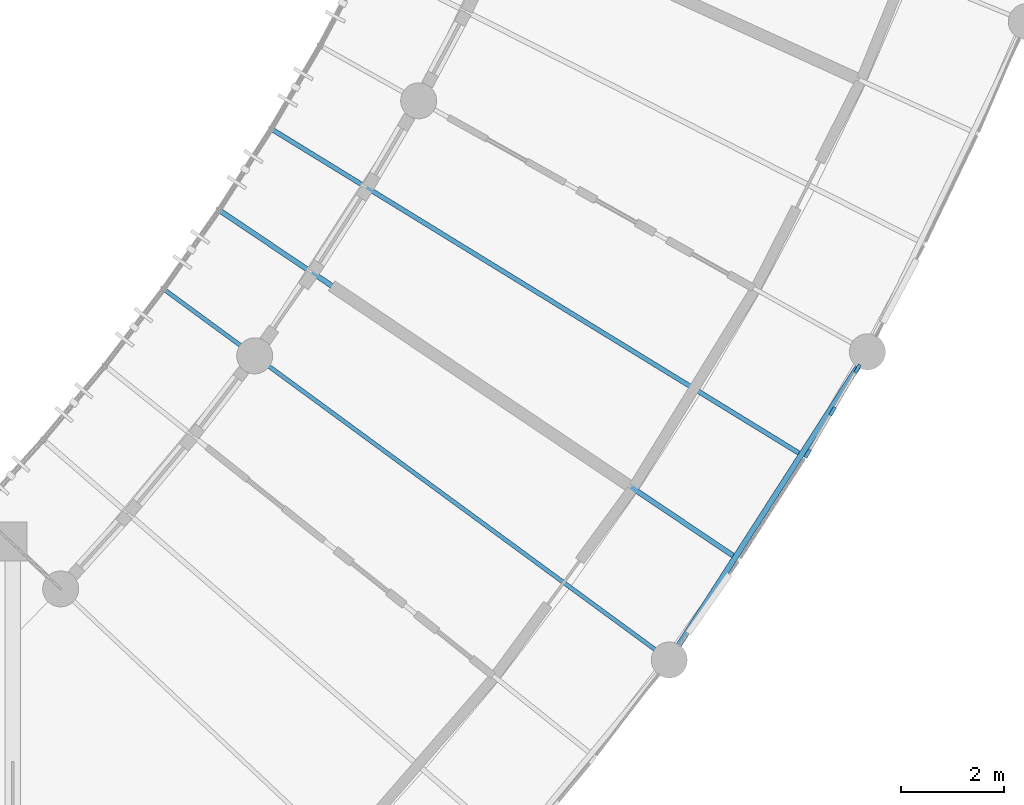
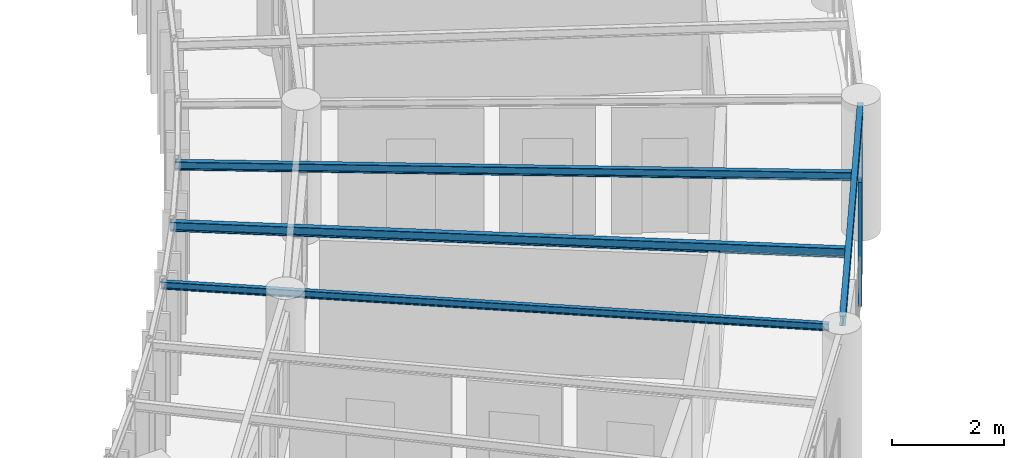
# One storey, part 12 of 100: 4 beams, 3 members, 1 element without a shape of its own.
"""IFC4 building model written with IfcOpenShell, lengths in metres."""

from ifc_helpers import new_model, si_unit, direction, frame, origin, origin_2d, place, context, subcontext, project, spatial, rectangle, i_section, extrude, material, layer, layer_set, material_profile, profile_set, type_object, element, aggregate, save


model = new_model("IFC4")

# Units and contexts
model_context = context("Model", 3, precision=1e-05, world=origin(), true_north=direction((0.0, 1.0)))
body_context = subcontext(model_context, "Body", "Model", "MODEL_VIEW")
ifc_project = project(units=[si_unit("LENGTHUNIT", "METRE"), si_unit("AREAUNIT", "SQUARE_METRE"), si_unit("VOLUMEUNIT", "CUBIC_METRE"), si_unit("PLANEANGLEUNIT", "RADIAN"), si_unit("MASSUNIT", "GRAM", prefix="KILO"), si_unit("POWERUNIT", "WATT"), si_unit("THERMODYNAMICTEMPERATUREUNIT", "KELVIN")], contexts=[model_context])

# Site, building, storey
site_placement = place(None, origin())
site = spatial("IfcSite", under=ifc_project, at=site_placement, CompositionType="ELEMENT")
building_placement = place(site_placement, origin())
building = spatial("IfcBuilding", under=site, at=building_placement, Name="Ruvembo Vaulted Housing Court", CompositionType="ELEMENT")
storey_placement = place(building_placement, frame((0.0, 0.0, 10.89990234375)))
storey = spatial("IfcBuildingStorey", under=building, at=storey_placement, Name="L03", CompositionType="ELEMENT", Elevation=10.89990234375)

# Beams
ifc_material_1 = material(Name="Steel S355J2", Category="steel")
ifc_material_profile_1 = material_profile(ifc_material_1, i_section(OverallWidth=0.08203125, OverallDepth=0.159912109375, WebThickness=0.0048828125, FlangeThickness=0.00732421875, FilletRadius=0.009033203125, at=origin_2d()), Name="IPE 160")
ifc_profile_set_1 = profile_set([ifc_material_profile_1], Name="Steel S355J2")
beam_type_1 = type_object("IfcBeamType", Name="BM-ST-IPE160", PredefinedType="JOIST", material=ifc_profile_set_1)
beam_1_placement = place(storey_placement, frame((48.581787109375, 39.831298828125, 2.860107421875), z_axis=(-0.806331315206, 0.591464124117, 0.0), x_axis=(-0.591464124117, -0.806331315206, 0.0)))
element("IfcBeam", 1, at=beam_1_placement, inside=storey, type_object=beam_type_1, Name="Scoop SC1 L03 Radial Steel Joist 3", PredefinedType="JOIST", context=body_context, shape_type="SweptSolid", body=[
    extrude(i_section(OverallWidth=0.08203125, OverallDepth=0.159912109375, WebThickness=0.0048828125, FlangeThickness=0.00732421875, FilletRadius=0.009033203125, at=origin_2d()), origin(), (0.0, 0.0, 1.0), 12.010009765625),
])
ifc_material_profile_2 = material_profile(ifc_material_1, i_section(OverallWidth=0.091064453125, OverallDepth=0.179931640625, WebThickness=0.00537109375, FlangeThickness=0.008056640625, FilletRadius=0.009033203125, at=origin_2d()), Name="IPE 180")
ifc_profile_set_2 = profile_set([ifc_material_profile_2], Name="Steel S355J2")
beam_type_2 = type_object("IfcBeamType", Name="BM-ST-IPE180", PredefinedType="JOIST", material=ifc_profile_set_2)
beam_2_placement = place(storey_placement, frame((51.29296875, 43.716064453125, 2.85009765625), z_axis=(-0.852055275677, 0.52345181936, 0.0), x_axis=(-0.52345181936, -0.852055275677, 0.0)))
element("IfcBeam", 2, at=beam_2_placement, inside=storey, type_object=beam_type_2, Name="Scoop SC1 L03 Radial Steel Joist 5", PredefinedType="JOIST", context=body_context, shape_type="SweptSolid", body=[
    extrude(i_section(OverallWidth=0.091064453125, OverallDepth=0.179931640625, WebThickness=0.00537109375, FlangeThickness=0.008056640625, FilletRadius=0.009033203125, at=origin_2d()), origin(), (0.0, 0.0, 1.0), 12.092529296875),
])
ifc_material_profile_3 = material_profile(ifc_material_1, i_section(OverallWidth=0.10009765625, OverallDepth=0.199951171875, WebThickness=0.005615234375, FlangeThickness=0.008544921875, FilletRadius=0.011962890625, at=origin_2d()), Name="IPE 200")
ifc_profile_set_3 = profile_set([ifc_material_profile_3], Name="Steel S355J2")
beam_type_3 = type_object("IfcBeamType", Name="BM-ST-IPE200", PredefinedType="BEAM", material=ifc_profile_set_3)
beam_3_placement = place(storey_placement, frame((50.010986328125, 41.721923828125, 2.840087890625), z_axis=(-0.829875932672, 0.557947969233, 0.0), x_axis=(-0.557947969233, -0.829875932672, 0.0)))
element("IfcBeam", 3, at=beam_3_placement, inside=storey, type_object=beam_type_3, Name="Scoop SC1 L03 Radial Steel Joist 4", PredefinedType="BEAM", context=body_context, shape_type="SweptSolid", body=[
    extrude(i_section(OverallWidth=0.10009765625, OverallDepth=0.199951171875, WebThickness=0.005615234375, FlangeThickness=0.008544921875, FilletRadius=0.011962890625, at=origin_2d()), origin(), (0.0, 0.0, 1.0), 12.0927734375),
])
ifc_material_profile_4 = material_profile(ifc_material_1, i_section(OverallWidth=0.110107421875, OverallDepth=0.219970703125, WebThickness=0.005859375, FlangeThickness=0.00927734375, FilletRadius=0.011962890625, at=origin_2d()), Name="IPE 220")
ifc_profile_set_4 = profile_set([ifc_material_profile_4], Name="Steel S355J2")
beam_type_4 = type_object("IfcBeamType", Name="BM-ST-IPE220", PredefinedType="SPANDREL", material=ifc_profile_set_4)
beam_4_placement = place(storey_placement, frame((48.8916015625, 39.888671875, 2.83203125), z_axis=(0.540829784902, 0.841132060834, 0.0), x_axis=(-0.841132060834, 0.540829784902, 0.0)))
element("IfcBeam", 4, at=beam_4_placement, inside=storey, type_object=beam_type_4, Name="Scoop SC1 L03 Chord Girder B3", PredefinedType="SPANDREL", context=body_context, shape_type="SweptSolid", body=[
    extrude(i_section(OverallWidth=0.110107421875, OverallDepth=0.219970703125, WebThickness=0.005859375, FlangeThickness=0.00927734375, FilletRadius=0.011962890625, at=origin_2d()), origin(), (0.0, 0.0, 1.0), 6.66552734375),
])

# Curtain wall, members
ifc_material_2 = material(Name="Anodised Aluminium and Solar-Control Glass", Category="aluminium")
ifc_layer = layer(ifc_material_2, 0.1201171875, Name="Anodised Aluminium and Solar-Control Glass")
ifc_layer_set = layer_set([ifc_layer], Name="Anodised Aluminium and Solar-Control Glass")
curtain_wall_type = type_object("IfcCurtainWallType", Name="CW-SCOOP-GAL", PredefinedType="NOTDEFINED", material=ifc_layer_set)
curtain_wall_placement = place(storey_placement, origin())
curtain_wall = element("IfcCurtainWall", 5, at=curtain_wall_placement, inside=storey, type_object=curtain_wall_type, Name="L03 Curtain Wall CW-L03-0018", PredefinedType="NOTDEFINED")
ifc_material_3 = material(Name="Anodised Aluminium 6063-T6", Category="aluminium")
ifc_material_profile_5 = material_profile(ifc_material_3, rectangle(XDim=0.06494140625, YDim=0.179931640625, at=origin_2d()), Name="ALU 65x180")
ifc_profile_set_5 = profile_set([ifc_material_profile_5], Name="Anodised Aluminium 6063-T6")
member_type = type_object("IfcMemberType", Name="CW-MUL-65x180", PredefinedType="MULLION", material=ifc_profile_set_5)
member_1_placement = place(storey_placement, frame((51.46044921875, 43.7099609375, 0.0), z_axis=(0.0, 0.0, 1.0), x_axis=(-0.862605859133, 0.505876597392, 0.0)))
member_1 = element("IfcMember", 6, at=member_1_placement, type_object=member_type, Name="CW6 mullion 1", PredefinedType="MULLION", context=body_context, shape_type="SweptSolid", body=[
    extrude(rectangle(XDim=0.06494140625, YDim=0.179931640625, at=origin_2d()), origin(), (0.0, 0.0, 1.0), 2.697998046875),
])
member_2_placement = place(storey_placement, frame((51.94384765625, 44.534423828125, 0.0), z_axis=(0.0, 0.0, 1.0), x_axis=(-0.862605859133, 0.505876597392, 0.0)))
member_2 = element("IfcMember", 7, at=member_2_placement, type_object=member_type, Name="CW6 mullion 2", PredefinedType="MULLION", context=body_context, shape_type="SweptSolid", body=[
    extrude(rectangle(XDim=0.06494140625, YDim=0.179931640625, at=origin_2d()), origin(), (0.0, 0.0, 1.0), 2.697998046875),
])
member_3_placement = place(storey_placement, frame((52.42724609375, 45.35888671875, 0.0), z_axis=(0.0, 0.0, 1.0), x_axis=(-0.862605859133, 0.505876597392, 0.0)))
member_3 = element("IfcMember", 8, at=member_3_placement, type_object=member_type, Name="CW6 mullion 3", PredefinedType="MULLION", context=body_context, shape_type="SweptSolid", body=[
    extrude(rectangle(XDim=0.06494140625, YDim=0.179931640625, at=origin_2d()), origin(), (0.0, 0.0, 1.0), 2.697998046875),
])
aggregate(curtain_wall, [member_1, member_2, member_3])

save(model, "model.ifc")
